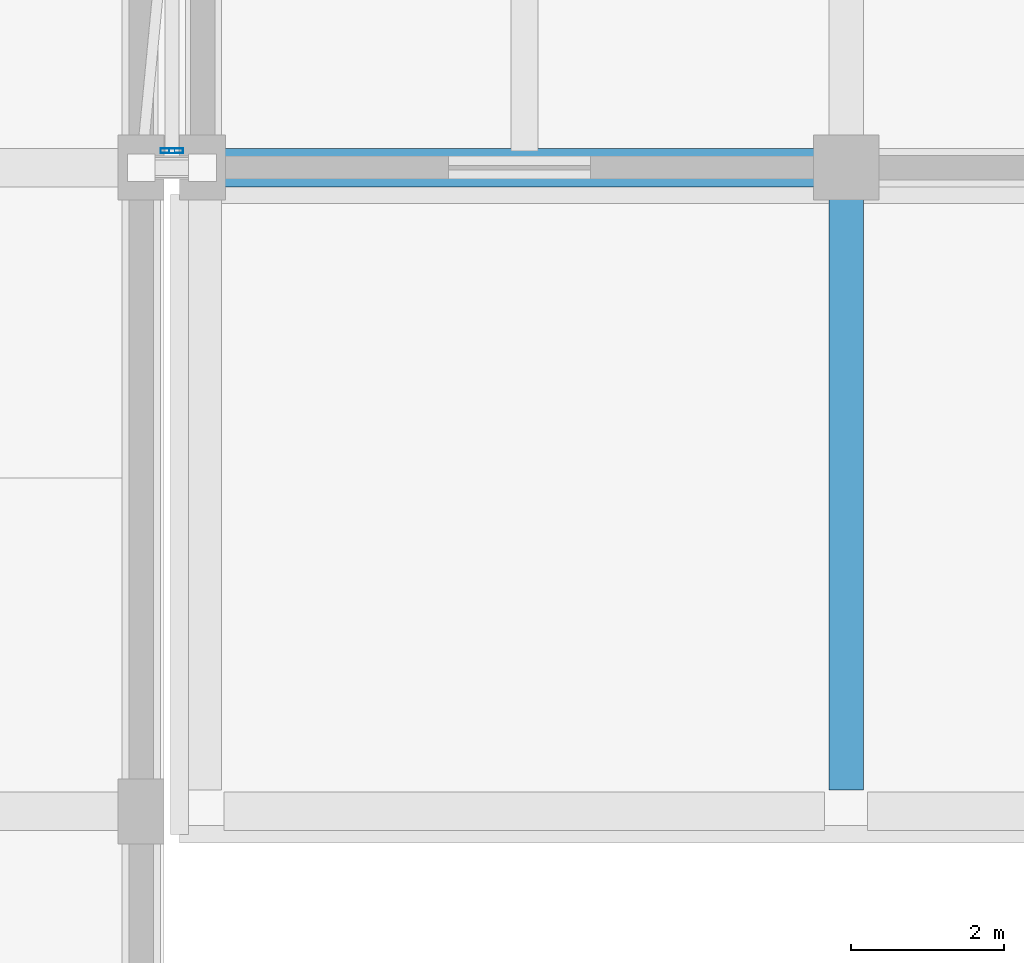
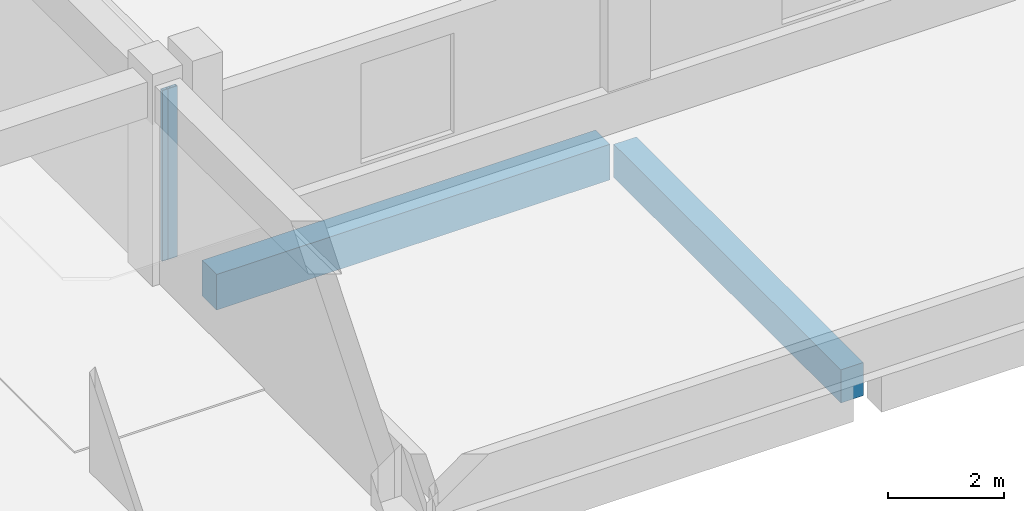
# One storey, part 68 of 129: 2 beams, 2 members, 1 element without a shape of its own.
"""IFC4 building model written with IfcOpenShell, lengths in metres."""

from ifc_helpers import new_model, si_unit, direction, frame, origin, origin_2d, place, context, subcontext, project, spatial, rectangle, hollow_rectangle, extrude, material, layer, layer_set, material_profile, profile_set, type_object, element, aggregate, save


model = new_model("IFC4")

# Units and contexts
model_context = context("Model", 3, precision=1e-05, world=origin(), true_north=direction((0.0, 1.0)))
body_context = subcontext(model_context, "Body", "Model", "MODEL_VIEW")
ifc_project = project(units=[si_unit("LENGTHUNIT", "METRE"), si_unit("AREAUNIT", "SQUARE_METRE"), si_unit("VOLUMEUNIT", "CUBIC_METRE"), si_unit("PLANEANGLEUNIT", "RADIAN"), si_unit("MASSUNIT", "GRAM", prefix="KILO")], contexts=[model_context])

# Site, building, storey
site_placement = place(None, origin())
site = spatial("IfcSite", under=ifc_project, at=site_placement, CompositionType="ELEMENT")
building_placement = place(site_placement, origin())
building = spatial("IfcBuilding", under=site, at=building_placement, Name="Xazarin Passage Department Store", CompositionType="ELEMENT")
storey_placement = place(building_placement, frame((0.0, 0.0, 9.89990234375)))
storey = spatial("IfcBuildingStorey", under=building, at=storey_placement, Name="L02", CompositionType="ELEMENT", Elevation=9.89990234375)

# Curtain wall, members
ifc_material_1 = material(Name="Bronze anodised aluminium", Category="aluminium")
ifc_layer = layer(ifc_material_1, 0.14990234375)
ifc_layer_set = layer_set([ifc_layer], Name="Bronze anodised aluminium")
curtain_wall_type = type_object("IfcCurtainWallType", Name="ARC-CW-BRG1", PredefinedType="NOTDEFINED", material=ifc_layer_set)
curtain_wall_placement = place(storey_placement, origin())
curtain_wall = element("IfcCurtainWall", 1, at=curtain_wall_placement, inside=storey, type_object=curtain_wall_type, Name="L02 BR-V2N-V4 Bridge Curtain Wall 1", PredefinedType="NOTDEFINED")
ifc_material_profile_1 = material_profile(ifc_material_1, hollow_rectangle(XDim=0.06494140625, YDim=0.179931640625, WallThickness=0.00390625, at=origin_2d()), Name="ALU 65x180")
ifc_profile_set_1 = profile_set([ifc_material_profile_1], Name="Bronze anodised aluminium")
member_type = type_object("IfcMemberType", Name="ARC-CWM-65x180", PredefinedType="MULLION", material=ifc_profile_set_1)
member_1_placement = place(storey_placement, frame((101.9423828125, 85.02001953125, 0.0), z_axis=(0.0, 0.0, 1.0), x_axis=(0.0, 1.0, 0.0)))
member_1 = element("IfcMember", 2, at=member_1_placement, type_object=member_type, Name="CW7 mullion 1", PredefinedType="MULLION", context=body_context, shape_type="SweptSolid", body=[
    extrude(hollow_rectangle(XDim=0.06494140625, YDim=0.179931640625, WallThickness=0.00390625, at=origin_2d()), origin(), (0.0, 0.0, 1.0), 3.60009765625),
])
member_2_placement = place(storey_placement, frame((102.0576171875, 85.02001953125, 0.0), z_axis=(0.0, 0.0, 1.0), x_axis=(0.0, 1.0, 0.0)))
member_2 = element("IfcMember", 3, at=member_2_placement, type_object=member_type, Name="CW7 mullion 2", PredefinedType="MULLION", context=body_context, shape_type="SweptSolid", body=[
    extrude(hollow_rectangle(XDim=0.06494140625, YDim=0.179931640625, WallThickness=0.00390625, at=origin_2d()), origin(), (0.0, 0.0, 1.0), 3.60009765625),
])
aggregate(curtain_wall, [member_1, member_2])

# Beams
ifc_material_2 = material(Name="Concrete C35/45", Category="concrete")
ifc_material_profile_2 = material_profile(ifc_material_2, rectangle(XDim=0.449951171875, YDim=0.699951171875, at=origin_2d()), Name="RC 450x700")
ifc_profile_set_2 = profile_set([ifc_material_profile_2], Name="Concrete C35/45")
beam_type_1 = type_object("IfcBeamType", Name="STR-BM-G450x700", PredefinedType="BEAM", material=ifc_profile_set_2)
beam_1_placement = place(storey_placement, frame((110.800048828125, 76.679931640625, -0.64990234375), z_axis=(0.0, 1.0, 0.0), x_axis=(-1.0, 0.0, 0.0)))
element("IfcBeam", 4, at=beam_1_placement, inside=storey, type_object=beam_type_1, Name="L02 Grid Beam 16/L-M", PredefinedType="BEAM", context=body_context, shape_type="SweptSolid", body=[
    extrude(rectangle(XDim=0.449951171875, YDim=0.699951171875, at=origin_2d()), origin(), (0.0, 0.0, 1.0), 7.840087890625),
])
ifc_material_profile_3 = material_profile(ifc_material_2, rectangle(XDim=0.5, YDim=0.75, at=origin_2d()), Name="RC 500x750")
ifc_profile_set_3 = profile_set([ifc_material_profile_3], Name="Concrete C35/45")
beam_type_2 = type_object("IfcBeamType", Name="STR-BM-SP500x750", PredefinedType="SPANDREL", material=ifc_profile_set_3)
beam_2_placement = place(storey_placement, frame((102.679931640625, 84.800048828125, -0.6748046875), z_axis=(1.0, 0.0, 0.0), x_axis=(0.0, 1.0, 0.0)))
element("IfcBeam", 5, at=beam_2_placement, inside=storey, type_object=beam_type_2, Name="L02 Grid Beam M/15-16", PredefinedType="SPANDREL", context=body_context, shape_type="SweptSolid", body=[
    extrude(rectangle(XDim=0.5, YDim=0.75, at=origin_2d()), origin(), (0.0, 0.0, 1.0), 7.840087890625),
])

save(model, "model.ifc")
